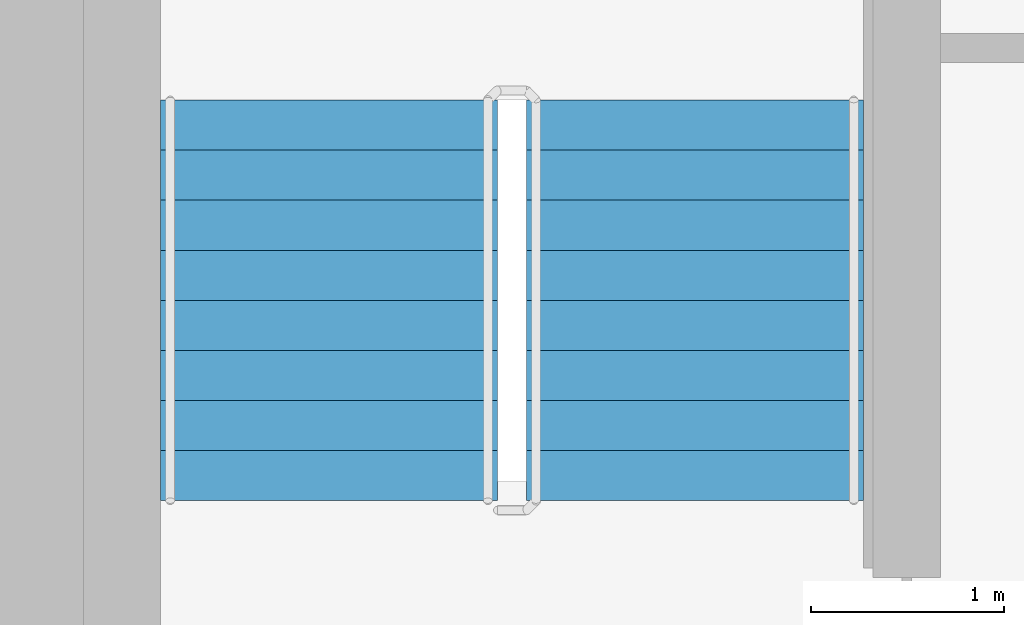
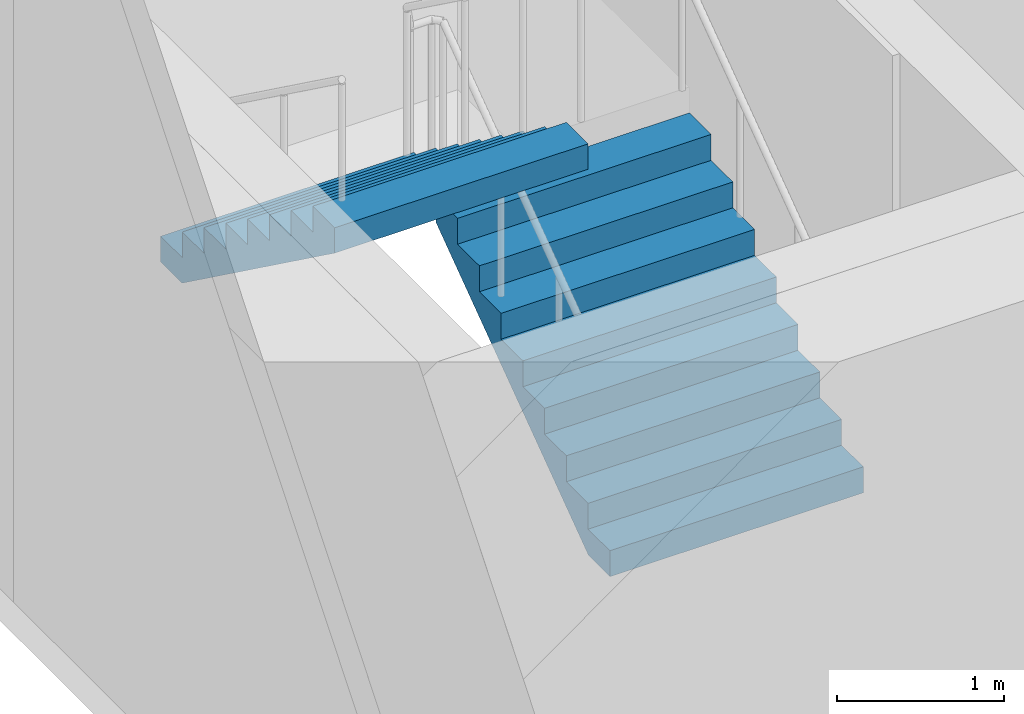
# One storey, part 15 of 18: 2 stair flights, 1 element without a shape of its own.
"""IFC4 building model written with IfcOpenShell, lengths in metres."""

import ifcopenshell
import ifcopenshell.guid

model = None  # the IFC model being written
_history = None  # IfcOwnerHistory: only IFC2X3 demands one
_inside = {}  # id of a spatial element -> (the spatial element, [elements in it])
_under = {}  # id of a project, library or spatial element -> (it, [spatial elements below it])
_declared = {}  # id of a project -> (the project, [libraries it declares])
_typed = {}  # id of a type object -> (the type object, [elements of that type])
_made_of = {}  # id of a material, layer set ... -> (it, [elements and type objects made of it])


def new_model(schema):
    """Start an empty IFC model of exactly this schema.

    Asked for "IFC4X3", IfcOpenShell would pick the latest addendum, in which some entities
    have other attributes; the version numbers below select the first issue.
    IFC2X3 requires an IfcOwnerHistory on every rooted entity: one is made here for all.
    """
    global model, _history
    if schema == "IFC4X3":
        model = ifcopenshell.file(schema_version=(4, 3, 0, 0))
    else:
        model = ifcopenshell.file(schema=schema)
    _inside.clear()
    _under.clear()
    _declared.clear()
    _typed.clear()
    _made_of.clear()
    _history = None
    if model.schema == "IFC2X3":
        org = make("IfcOrganization", Name="unknown")
        user = make(
            "IfcPersonAndOrganization",
            ThePerson=make("IfcPerson", FamilyName="unknown"),
            TheOrganization=org,
        )
        app = make(
            "IfcApplication",
            ApplicationDeveloper=org,
            Version="unknown",
            ApplicationFullName="unknown",
            ApplicationIdentifier="unknown",
        )
        _history = make(
            "IfcOwnerHistory",
            OwningUser=user,
            OwningApplication=app,
            ChangeAction="ADDED",
            CreationDate=0,
        )
    return model


def make(cls, **values):
    """One entity of the class cls with the attributes given. An attribute that is None is left unset."""
    return model.create_entity(
        cls, **{name: value for name, value in values.items() if value is not None}
    )


def rooted(cls, **values):
    """An entity with a GlobalId (a new one), such as an element, a storey or a relation."""
    return make(cls, GlobalId=ifcopenshell.guid.new(), OwnerHistory=_history, **values)


def si_unit(unit_type, name, prefix=None):
    """IfcSIUnit, for example si_unit("LENGTHUNIT", "METRE", prefix="MILLI")."""
    return make("IfcSIUnit", UnitType=unit_type, Prefix=prefix, Name=name)


def assignment(units):
    """IfcUnitAssignment: the units of a project."""
    return None if units is None else make("IfcUnitAssignment", Units=units)


def point(xyz):
    """IfcCartesianPoint."""
    return None if xyz is None else make("IfcCartesianPoint", Coordinates=xyz)


def direction(xyz):
    """IfcDirection."""
    return None if xyz is None else make("IfcDirection", DirectionRatios=xyz)


def frame(location, z_axis=None, x_axis=None):
    """IfcAxis2Placement3D, a coordinate frame: its origin and axes. An axis left out is left unset."""
    return make(
        "IfcAxis2Placement3D",
        Location=point(location),
        Axis=direction(z_axis),
        RefDirection=direction(x_axis),
    )


def origin():
    """The frame at (0, 0, 0) with its axes left unset."""
    return frame((0.0, 0.0, 0.0))


def place(relative_to, where):
    """IfcLocalPlacement: puts the frame where relative to a parent placement (None: the world)."""
    return make(
        "IfcLocalPlacement", PlacementRelTo=relative_to, RelativePlacement=where
    )


def context(
    kind, dimensions, precision=None, world=None, true_north=None, identifier=None
):
    """IfcGeometricRepresentationContext, for example the 3D "Model" context."""
    return make(
        "IfcGeometricRepresentationContext",
        ContextIdentifier=identifier,
        ContextType=kind,
        CoordinateSpaceDimension=dimensions,
        Precision=precision,
        WorldCoordinateSystem=world,
        TrueNorth=true_north,
    )


def subcontext(parent, identifier, kind, view, scale=None):
    """IfcGeometricRepresentationSubContext, for example "Body" below "Model"."""
    return make(
        "IfcGeometricRepresentationSubContext",
        ContextIdentifier=identifier,
        ContextType=kind,
        ParentContext=parent,
        TargetScale=scale,
        TargetView=view,
    )


def project(units=None, contexts=None):
    """IfcProject with its units and contexts."""
    return rooted(
        "IfcProject",
        Name="project",
        RepresentationContexts=contexts,
        UnitsInContext=assignment(units),
    )


def spatial(cls, under=None, at=None, **own):
    """A site, building, storey or space (cls), placed at a placement, below another one or the project."""
    s = rooted(cls, ObjectPlacement=at, **own)
    if under is not None:
        _under.setdefault(under.id(), (under, []))[1].append(s)
    return s


def faces_of(points, faces, orient=None, outer=None):
    """IfcFace entities. A face is a list of loops; a loop is a list of indices into points, from 0.

    orient and outer hold one flag for each loop. By default every Orientation is true, the
    first loop of a face is its IfcFaceOuterBound and the others are IfcFaceBound.
    """
    made = []
    for i, loops in enumerate(faces):
        bounds = []
        for j, loop in enumerate(loops):
            is_outer = j == 0 if outer is None else outer[i][j]
            bounds.append(
                make(
                    "IfcFaceOuterBound" if is_outer else "IfcFaceBound",
                    Bound=make("IfcPolyLoop", Polygon=[points[k] for k in loop]),
                    Orientation=True if orient is None else orient[i][j],
                )
            )
        made.append(make("IfcFace", Bounds=bounds))
    return made


def faceted_brep(points, faces, orient=None, outer=None, voids=None):
    """IfcFacetedBrep: a solid bounded by flat faces; with voids (closed shells), ...WithVoids."""
    shared = [point(p) for p in points]
    hull = make("IfcClosedShell", CfsFaces=faces_of(shared, faces, orient, outer))
    if voids is None:
        return make("IfcFacetedBrep", Outer=hull)
    return make(
        "IfcFacetedBrepWithVoids",
        Outer=hull,
        Voids=[
            make(cls, CfsFaces=faces_of(shared, fs, o, b)) for cls, fs, o, b in voids
        ],
    )


def shape(context_of_items, identifier, shape_type, items):
    """IfcShapeRepresentation: the items that make up one representation, for example the "Body"."""
    return make(
        "IfcShapeRepresentation",
        ContextOfItems=context_of_items,
        RepresentationIdentifier=identifier,
        RepresentationType=shape_type,
        Items=items,
    )


def material(Name=None, Category=None):
    """IfcMaterial."""
    return make("IfcMaterial", Name=Name, Category=Category)


def made_of(thing, what):
    """Note that an element or type object is made of a material, layer set ...; save() writes the relation."""
    if what is not None:
        _made_of.setdefault(what.id(), (what, []))[1].append(thing)
    return thing


def type_object(cls, material=None, **own):
    """A type object (cls), such as IfcWallType, which elements share."""
    return made_of(rooted(cls, **own), material)


def element(
    cls,
    number,
    at=None,
    inside=None,
    cuts=None,
    type_object=None,
    material=None,
    context=None,
    identifier="Body",
    shape_type=None,
    held_by="IfcProductDefinitionShape",
    body=None,
    shapes=None,
    **own,
):
    """One element of the class cls, such as IfcWall. Its Tag is "e" and its number.

    at: its placement. inside: the storey or other place that contains it. cuts: it is an
    opening in that element (IfcRelVoidsElement). A single representation is given by context,
    identifier, shape_type and body (its items); several are given by shapes. held_by: the class
    of the entity that holds the representations. save() writes the other relations.
    """
    e = rooted(cls, Tag="e%d" % number, ObjectPlacement=at, **own)
    if body is not None:
        shapes = [shape(context, identifier, shape_type, body)]
    if shapes is not None:
        e.Representation = make(held_by, Representations=shapes)
    if inside is not None:
        _inside.setdefault(inside.id(), (inside, []))[1].append(e)
    if cuts is not None:
        rooted(
            "IfcRelVoidsElement", RelatingBuildingElement=cuts, RelatedOpeningElement=e
        )
    if type_object is not None:
        _typed.setdefault(type_object.id(), (type_object, []))[1].append(e)
    return made_of(e, material)


def aggregate(whole, parts):
    """IfcRelAggregates: a whole, such as a stair, and the parts it consists of."""
    return rooted("IfcRelAggregates", RelatingObject=whole, RelatedObjects=parts)


def save(model, path):
    """Write the relations noted so far, then the file.

    IfcRelAggregates (storeys below a building ...), IfcRelContainedInSpatialStructure (elements
    in a storey), IfcRelDefinesByType, IfcRelAssociatesMaterial and IfcRelDeclares: one each for
    every whole, place, type object, material and project.
    """
    for whole, parts in _under.values():
        aggregate(whole, parts)
    for where, things in _inside.values():
        rooted(
            "IfcRelContainedInSpatialStructure",
            RelatedElements=things,
            RelatingStructure=where,
        )
    for kind, things in _typed.values():
        rooted("IfcRelDefinesByType", RelatedObjects=things, RelatingType=kind)
    for what, things in _made_of.values():
        rooted("IfcRelAssociatesMaterial", RelatedObjects=things, RelatingMaterial=what)
    for by, libraries in _declared.values():
        rooted("IfcRelDeclares", RelatingContext=by, RelatedDefinitions=libraries)
    model.write(path)


model = new_model("IFC4")

# Units and contexts
model_context = context("Model", 3, precision=1e-05, world=origin(), true_north=direction((0.0, 1.0)))
body_context = subcontext(model_context, "Body", "Model", "MODEL_VIEW")
ifc_project = project(units=[si_unit("LENGTHUNIT", "METRE"), si_unit("AREAUNIT", "SQUARE_METRE"), si_unit("VOLUMEUNIT", "CUBIC_METRE"), si_unit("PLANEANGLEUNIT", "RADIAN"), si_unit("MASSUNIT", "GRAM", prefix="KILO")], contexts=[model_context])

# Site, building, storey
site_placement = place(None, origin())
site = spatial("IfcSite", under=ifc_project, at=site_placement, CompositionType="ELEMENT")
building_placement = place(site_placement, origin())
building = spatial("IfcBuilding", under=site, at=building_placement, Name="Ipe Terrace Towers", CompositionType="ELEMENT")
storey_placement = place(building_placement, frame((0.0, 0.0, 164.300048828125)))
storey = spatial("IfcBuildingStorey", under=building, at=storey_placement, Name="L45", CompositionType="ELEMENT", Elevation=164.300048828125)

# Stair, stair flights
ifc_material_1 = material(Name="Concrete C30/37", Category="concrete")
stair_type = type_object("IfcStairType", Name="Protected exit stair", PredefinedType="HALF_TURN_STAIR", material=ifc_material_1)
stair_placement = place(storey_placement, origin())
stair = element("IfcStair", 1, at=stair_placement, inside=storey, type_object=stair_type, Name="L45 Exit stair T2-C1", PredefinedType="HALF_TURN_STAIR")
ifc_material_2 = material(Name="Concrete C30/37", Category="concrete")
stair_flight_type = type_object("IfcStairFlightType", Name="Exit stair flight 1750", PredefinedType="STRAIGHT", material=ifc_material_2)
stair_flight_1_placement = place(storey_placement, frame((33.22509765625, 9.699951171875, 0.0), z_axis=(0.0, 0.0, 1.0), x_axis=(0.0, 1.0, 0.0)))
stair_flight_1 = element("IfcStairFlight", 2, at=stair_flight_1_placement, type_object=stair_flight_type, Name="T2-ST1 flight 1", NumberOfRisers=9, NumberOfTreads=8, PredefinedType="STRAIGHT", RiserHeight=0.188888889, TreadLength=0.26, context=body_context, shape_type="Brep", body=[
    faceted_brep([(0.255126953125, -0.875, 0.0), (2.080078125, -0.875, 1.325927734375), (2.080078125, -0.875, 1.51123046875), (1.820068359375, -0.875, 1.51123046875), (1.820068359375, -0.875, 1.322265625), (1.56005859375, -0.875, 1.322265625), (1.56005859375, -0.875, 1.13330078125), (1.300048828125, -0.875, 1.13330078125), (1.300048828125, -0.875, 0.9443359375), (1.0400390625, -0.875, 0.9443359375), (1.0400390625, -0.875, 0.755615234375), (0.780029296875, -0.875, 0.755615234375), (0.780029296875, -0.875, 0.566650390625), (0.52001953125, -0.875, 0.566650390625), (0.52001953125, -0.875, 0.377685546875), (0.260009765625, -0.875, 0.377685546875), (0.260009765625, -0.875, 0.18896484375), (0.0, -0.875, 0.18896484375), (0.0, -0.875, 0.0), (0.0, 0.875, 0.0), (0.0, 0.875, 0.18896484375), (0.260009765625, 0.875, 0.18896484375), (0.260009765625, 0.875, 0.377685546875), (0.52001953125, 0.875, 0.377685546875), (0.52001953125, 0.875, 0.566650390625), (0.780029296875, 0.875, 0.566650390625), (0.780029296875, 0.875, 0.755615234375), (1.0400390625, 0.875, 0.755615234375), (1.0400390625, 0.875, 0.9443359375), (1.300048828125, 0.875, 0.9443359375), (1.300048828125, 0.875, 1.13330078125), (1.56005859375, 0.875, 1.13330078125), (1.56005859375, 0.875, 1.322265625), (1.820068359375, 0.875, 1.322265625), (1.820068359375, 0.875, 1.51123046875), (2.080078125, 0.875, 1.51123046875), (2.080078125, 0.875, 1.325927734375), (0.255126953125, 0.875, 0.0), (0.0, -0.300048828125, 0.18896484375), (0.0, -0.1201171875, 0.18896484375), (0.0, -0.06005859375, 0.18896484375), (0.0, -0.030029296875, 0.18896484375), (0.0, -0.010009765625, 0.18896484375), (0.0, 0.0, 0.18896484375), (0.0, 0.010009765625, 0.18896484375), (0.0, 0.030029296875, 0.18896484375), (0.0, 0.06005859375, 0.18896484375), (0.0, 0.1201171875, 0.18896484375), (0.0, 0.300048828125, 0.18896484375), (0.0, 0.300048828125, 0.0), (0.0, 0.1201171875, 0.0), (0.0, 0.06005859375, 0.0), (0.0, 0.030029296875, 0.0), (0.0, 0.010009765625, 0.0), (0.0, 0.0, 0.0), (0.0, -0.010009765625, 0.0), (0.0, -0.030029296875, 0.0), (0.0, -0.06005859375, 0.0), (0.0, -0.1201171875, 0.0), (0.0, -0.300048828125, 0.0), (0.260009765625, -0.300048828125, 0.18896484375), (0.260009765625, -0.1201171875, 0.18896484375), (0.260009765625, -0.06005859375, 0.18896484375), (0.260009765625, -0.030029296875, 0.18896484375), (0.260009765625, -0.010009765625, 0.18896484375), (0.260009765625, 0.0, 0.18896484375), (0.260009765625, 0.010009765625, 0.18896484375), (0.260009765625, 0.030029296875, 0.18896484375), (0.260009765625, 0.06005859375, 0.18896484375), (0.260009765625, 0.1201171875, 0.18896484375), (0.260009765625, 0.300048828125, 0.18896484375), (0.260009765625, -0.300048828125, 0.377685546875), (0.260009765625, -0.1201171875, 0.377685546875), (0.260009765625, -0.06005859375, 0.377685546875), (0.260009765625, -0.030029296875, 0.377685546875), (0.260009765625, -0.010009765625, 0.377685546875), (0.260009765625, 0.0, 0.377685546875), (0.260009765625, 0.010009765625, 0.377685546875), (0.260009765625, 0.030029296875, 0.377685546875), (0.260009765625, 0.06005859375, 0.377685546875), (0.260009765625, 0.1201171875, 0.377685546875), (0.260009765625, 0.300048828125, 0.377685546875), (0.52001953125, -0.300048828125, 0.377685546875), (0.52001953125, -0.1201171875, 0.377685546875), (0.52001953125, -0.06005859375, 0.377685546875), (0.52001953125, -0.030029296875, 0.377685546875), (0.52001953125, -0.010009765625, 0.377685546875), (0.52001953125, 0.0, 0.377685546875), (0.52001953125, 0.010009765625, 0.377685546875), (0.52001953125, 0.030029296875, 0.377685546875), (0.52001953125, 0.06005859375, 0.377685546875), (0.52001953125, 0.1201171875, 0.377685546875), (0.52001953125, 0.300048828125, 0.377685546875), (0.52001953125, -0.300048828125, 0.566650390625), (0.52001953125, -0.1201171875, 0.566650390625), (0.52001953125, -0.06005859375, 0.566650390625), (0.52001953125, -0.030029296875, 0.566650390625), (0.52001953125, -0.010009765625, 0.566650390625), (0.52001953125, 0.0, 0.566650390625), (0.52001953125, 0.010009765625, 0.566650390625), (0.52001953125, 0.030029296875, 0.566650390625), (0.52001953125, 0.06005859375, 0.566650390625), (0.52001953125, 0.1201171875, 0.566650390625), (0.52001953125, 0.300048828125, 0.566650390625), (0.780029296875, -0.300048828125, 0.566650390625), (0.780029296875, -0.1201171875, 0.566650390625), (0.780029296875, -0.06005859375, 0.566650390625), (0.780029296875, -0.030029296875, 0.566650390625), (0.780029296875, -0.010009765625, 0.566650390625), (0.780029296875, 0.0, 0.566650390625), (0.780029296875, 0.010009765625, 0.566650390625), (0.780029296875, 0.030029296875, 0.566650390625), (0.780029296875, 0.06005859375, 0.566650390625), (0.780029296875, 0.1201171875, 0.566650390625), (0.780029296875, 0.300048828125, 0.566650390625), (0.780029296875, -0.300048828125, 0.755615234375), (0.780029296875, -0.1201171875, 0.755615234375), (0.780029296875, -0.06005859375, 0.755615234375), (0.780029296875, -0.030029296875, 0.755615234375), (0.780029296875, -0.010009765625, 0.755615234375), (0.780029296875, 0.0, 0.755615234375), (0.780029296875, 0.010009765625, 0.755615234375), (0.780029296875, 0.030029296875, 0.755615234375), (0.780029296875, 0.06005859375, 0.755615234375), (0.780029296875, 0.1201171875, 0.755615234375), (0.780029296875, 0.300048828125, 0.755615234375), (1.0400390625, -0.300048828125, 0.755615234375), (1.0400390625, -0.1201171875, 0.755615234375), (1.0400390625, -0.06005859375, 0.755615234375), (1.0400390625, -0.030029296875, 0.755615234375), (1.0400390625, -0.010009765625, 0.755615234375), (1.0400390625, 0.0, 0.755615234375), (1.0400390625, 0.010009765625, 0.755615234375), (1.0400390625, 0.030029296875, 0.755615234375), (1.0400390625, 0.06005859375, 0.755615234375), (1.0400390625, 0.1201171875, 0.755615234375), (1.0400390625, 0.300048828125, 0.755615234375), (1.0400390625, -0.300048828125, 0.9443359375), (1.0400390625, -0.1201171875, 0.9443359375), (1.0400390625, -0.06005859375, 0.9443359375), (1.0400390625, -0.030029296875, 0.9443359375), (1.0400390625, -0.010009765625, 0.9443359375), (1.0400390625, 0.0, 0.9443359375), (1.0400390625, 0.010009765625, 0.9443359375), (1.0400390625, 0.030029296875, 0.9443359375), (1.0400390625, 0.06005859375, 0.9443359375), (1.0400390625, 0.1201171875, 0.9443359375), (1.0400390625, 0.300048828125, 0.9443359375), (1.300048828125, -0.300048828125, 0.9443359375), (1.300048828125, -0.1201171875, 0.9443359375), (1.300048828125, -0.06005859375, 0.9443359375), (1.300048828125, -0.030029296875, 0.9443359375), (1.300048828125, -0.010009765625, 0.9443359375), (1.300048828125, 0.0, 0.9443359375), (1.300048828125, 0.010009765625, 0.9443359375), (1.300048828125, 0.030029296875, 0.9443359375), (1.300048828125, 0.06005859375, 0.9443359375), (1.300048828125, 0.1201171875, 0.9443359375), (1.300048828125, 0.300048828125, 0.9443359375), (1.300048828125, -0.300048828125, 1.13330078125), (1.300048828125, -0.1201171875, 1.13330078125), (1.300048828125, -0.06005859375, 1.13330078125), (1.300048828125, -0.030029296875, 1.13330078125), (1.300048828125, -0.010009765625, 1.13330078125), (1.300048828125, 0.0, 1.13330078125), (1.300048828125, 0.010009765625, 1.13330078125), (1.300048828125, 0.030029296875, 1.13330078125), (1.300048828125, 0.06005859375, 1.13330078125), (1.300048828125, 0.1201171875, 1.13330078125), (1.300048828125, 0.300048828125, 1.13330078125), (1.56005859375, -0.300048828125, 1.13330078125), (1.56005859375, -0.1201171875, 1.13330078125), (1.56005859375, -0.06005859375, 1.13330078125), (1.56005859375, -0.030029296875, 1.13330078125), (1.56005859375, -0.010009765625, 1.13330078125), (1.56005859375, 0.0, 1.13330078125), (1.56005859375, 0.010009765625, 1.13330078125), (1.56005859375, 0.030029296875, 1.13330078125), (1.56005859375, 0.06005859375, 1.13330078125), (1.56005859375, 0.1201171875, 1.13330078125), (1.56005859375, 0.300048828125, 1.13330078125), (1.56005859375, -0.300048828125, 1.322265625), (1.56005859375, -0.1201171875, 1.322265625), (1.56005859375, -0.06005859375, 1.322265625), (1.56005859375, -0.030029296875, 1.322265625), (1.56005859375, -0.010009765625, 1.322265625), (1.56005859375, 0.0, 1.322265625), (1.56005859375, 0.010009765625, 1.322265625), (1.56005859375, 0.030029296875, 1.322265625), (1.56005859375, 0.06005859375, 1.322265625), (1.56005859375, 0.1201171875, 1.322265625), (1.56005859375, 0.300048828125, 1.322265625), (1.820068359375, -0.300048828125, 1.322265625), (1.820068359375, -0.1201171875, 1.322265625), (1.820068359375, -0.06005859375, 1.322265625), (1.820068359375, -0.030029296875, 1.322265625), (1.820068359375, -0.010009765625, 1.322265625), (1.820068359375, 0.0, 1.322265625), (1.820068359375, 0.010009765625, 1.322265625), (1.820068359375, 0.030029296875, 1.322265625), (1.820068359375, 0.06005859375, 1.322265625), (1.820068359375, 0.1201171875, 1.322265625), (1.820068359375, 0.300048828125, 1.322265625), (1.820068359375, -0.300048828125, 1.51123046875), (1.820068359375, -0.1201171875, 1.51123046875), (1.820068359375, -0.06005859375, 1.51123046875), (1.820068359375, -0.030029296875, 1.51123046875), (1.820068359375, -0.010009765625, 1.51123046875), (1.820068359375, 0.0, 1.51123046875), (1.820068359375, 0.010009765625, 1.51123046875), (1.820068359375, 0.030029296875, 1.51123046875), (1.820068359375, 0.06005859375, 1.51123046875), (1.820068359375, 0.1201171875, 1.51123046875), (1.820068359375, 0.300048828125, 1.51123046875), (2.080078125, -0.300048828125, 1.51123046875), (2.080078125, -0.1201171875, 1.51123046875), (2.080078125, -0.06005859375, 1.51123046875), (2.080078125, -0.030029296875, 1.51123046875), (2.080078125, -0.010009765625, 1.51123046875), (2.080078125, 0.0, 1.51123046875), (2.080078125, 0.010009765625, 1.51123046875), (2.080078125, 0.030029296875, 1.51123046875), (2.080078125, 0.06005859375, 1.51123046875), (2.080078125, 0.1201171875, 1.51123046875), (2.080078125, 0.300048828125, 1.51123046875), (2.080078125, -0.300048828125, 1.325927734375), (2.080078125, -0.1201171875, 1.325927734375), (2.080078125, -0.06005859375, 1.325927734375), (2.080078125, -0.030029296875, 1.325927734375), (2.080078125, -0.010009765625, 1.325927734375), (2.080078125, 0.0, 1.325927734375), (2.080078125, 0.010009765625, 1.325927734375), (2.080078125, 0.030029296875, 1.325927734375), (2.080078125, 0.06005859375, 1.325927734375), (2.080078125, 0.1201171875, 1.325927734375), (2.080078125, 0.300048828125, 1.325927734375), (0.255126953125, -0.300048828125, 0.0), (0.255126953125, -0.1201171875, 0.0), (0.255126953125, -0.06005859375, 0.0), (0.255126953125, -0.030029296875, 0.0), (0.255126953125, -0.010009765625, 0.0), (0.255126953125, 0.0, 0.0), (0.255126953125, 0.010009765625, 0.0), (0.255126953125, 0.030029296875, 0.0), (0.255126953125, 0.06005859375, 0.0), (0.255126953125, 0.1201171875, 0.0), (0.255126953125, 0.300048828125, 0.0)], [[[0, 1, 2, 3, 4, 5, 6, 7, 8, 9, 10, 11, 12, 13, 14, 15, 16, 17, 18]], [[19, 20, 21, 22, 23, 24, 25, 26, 27, 28, 29, 30, 31, 32, 33, 34, 35, 36, 37]], [[17, 38, 39, 40, 41, 42, 43, 44, 45, 46, 47, 48, 20, 19, 49, 50, 51, 52, 53, 54, 55, 56, 57, 58, 59, 18]], [[16, 60, 61, 62, 63, 64, 65, 66, 67, 68, 69, 70, 21, 20, 48, 47, 46, 45, 44, 43, 42, 41, 40, 39, 38, 17]], [[15, 71, 72, 73, 74, 75, 76, 77, 78, 79, 80, 81, 22, 21, 70, 69, 68, 67, 66, 65, 64, 63, 62, 61, 60, 16]], [[14, 82, 83, 84, 85, 86, 87, 88, 89, 90, 91, 92, 23, 22, 81, 80, 79, 78, 77, 76, 75, 74, 73, 72, 71, 15]], [[13, 93, 94, 95, 96, 97, 98, 99, 100, 101, 102, 103, 24, 23, 92, 91, 90, 89, 88, 87, 86, 85, 84, 83, 82, 14]], [[12, 104, 105, 106, 107, 108, 109, 110, 111, 112, 113, 114, 25, 24, 103, 102, 101, 100, 99, 98, 97, 96, 95, 94, 93, 13]], [[11, 115, 116, 117, 118, 119, 120, 121, 122, 123, 124, 125, 26, 25, 114, 113, 112, 111, 110, 109, 108, 107, 106, 105, 104, 12]], [[10, 126, 127, 128, 129, 130, 131, 132, 133, 134, 135, 136, 27, 26, 125, 124, 123, 122, 121, 120, 119, 118, 117, 116, 115, 11]], [[9, 137, 138, 139, 140, 141, 142, 143, 144, 145, 146, 147, 28, 27, 136, 135, 134, 133, 132, 131, 130, 129, 128, 127, 126, 10]], [[8, 148, 149, 150, 151, 152, 153, 154, 155, 156, 157, 158, 29, 28, 147, 146, 145, 144, 143, 142, 141, 140, 139, 138, 137, 9]], [[7, 159, 160, 161, 162, 163, 164, 165, 166, 167, 168, 169, 30, 29, 158, 157, 156, 155, 154, 153, 152, 151, 150, 149, 148, 8]], [[6, 170, 171, 172, 173, 174, 175, 176, 177, 178, 179, 180, 31, 30, 169, 168, 167, 166, 165, 164, 163, 162, 161, 160, 159, 7]], [[5, 181, 182, 183, 184, 185, 186, 187, 188, 189, 190, 191, 32, 31, 180, 179, 178, 177, 176, 175, 174, 173, 172, 171, 170, 6]], [[4, 192, 193, 194, 195, 196, 197, 198, 199, 200, 201, 202, 33, 32, 191, 190, 189, 188, 187, 186, 185, 184, 183, 182, 181, 5]], [[3, 203, 204, 205, 206, 207, 208, 209, 210, 211, 212, 213, 34, 33, 202, 201, 200, 199, 198, 197, 196, 195, 194, 193, 192, 4]], [[2, 214, 215, 216, 217, 218, 219, 220, 221, 222, 223, 224, 35, 34, 213, 212, 211, 210, 209, 208, 207, 206, 205, 204, 203, 3]], [[1, 225, 226, 227, 228, 229, 230, 231, 232, 233, 234, 235, 36, 35, 224, 223, 222, 221, 220, 219, 218, 217, 216, 215, 214, 2]], [[0, 236, 237, 238, 239, 240, 241, 242, 243, 244, 245, 246, 37, 36, 235, 234, 233, 232, 231, 230, 229, 228, 227, 226, 225, 1]], [[18, 59, 58, 57, 56, 55, 54, 53, 52, 51, 50, 49, 19, 37, 246, 245, 244, 243, 242, 241, 240, 239, 238, 237, 236, 0]]]),
])
stair_flight_2_placement = place(storey_placement, frame((31.324951171875, 11.780029296875, 1.699951171875), z_axis=(0.0, 0.0, 1.0), x_axis=(0.0, -1.0, 0.0)))
stair_flight_2 = element("IfcStairFlight", 3, at=stair_flight_2_placement, type_object=stair_flight_type, Name="T2-ST1 flight 2", NumberOfRisers=9, NumberOfTreads=8, PredefinedType="STRAIGHT", RiserHeight=0.188888889, TreadLength=0.26, context=body_context, shape_type="Brep", body=[
    faceted_brep([(0.255126953125, -0.875, 0.0), (2.080078125, -0.875, 1.325927734375), (2.080078125, -0.875, 1.51123046875), (1.820068359375, -0.875, 1.51123046875), (1.820068359375, -0.875, 1.322265625), (1.56005859375, -0.875, 1.322265625), (1.56005859375, -0.875, 1.13330078125), (1.300048828125, -0.875, 1.13330078125), (1.300048828125, -0.875, 0.9443359375), (1.0400390625, -0.875, 0.9443359375), (1.0400390625, -0.875, 0.755615234375), (0.780029296875, -0.875, 0.755615234375), (0.780029296875, -0.875, 0.566650390625), (0.52001953125, -0.875, 0.566650390625), (0.52001953125, -0.875, 0.377685546875), (0.260009765625, -0.875, 0.377685546875), (0.260009765625, -0.875, 0.18896484375), (0.0, -0.875, 0.18896484375), (0.0, -0.875, 0.0), (0.0, 0.875, 0.0), (0.0, 0.875, 0.18896484375), (0.260009765625, 0.875, 0.18896484375), (0.260009765625, 0.875, 0.377685546875), (0.52001953125, 0.875, 0.377685546875), (0.52001953125, 0.875, 0.566650390625), (0.780029296875, 0.875, 0.566650390625), (0.780029296875, 0.875, 0.755615234375), (1.0400390625, 0.875, 0.755615234375), (1.0400390625, 0.875, 0.9443359375), (1.300048828125, 0.875, 0.9443359375), (1.300048828125, 0.875, 1.13330078125), (1.56005859375, 0.875, 1.13330078125), (1.56005859375, 0.875, 1.322265625), (1.820068359375, 0.875, 1.322265625), (1.820068359375, 0.875, 1.51123046875), (2.080078125, 0.875, 1.51123046875), (2.080078125, 0.875, 1.325927734375), (0.255126953125, 0.875, 0.0), (0.0, -0.300048828125, 0.18896484375), (0.0, -0.1201171875, 0.18896484375), (0.0, -0.06005859375, 0.18896484375), (0.0, -0.030029296875, 0.18896484375), (0.0, -0.010009765625, 0.18896484375), (0.0, 0.0, 0.18896484375), (0.0, 0.010009765625, 0.18896484375), (0.0, 0.030029296875, 0.18896484375), (0.0, 0.06005859375, 0.18896484375), (0.0, 0.1201171875, 0.18896484375), (0.0, 0.300048828125, 0.18896484375), (0.0, 0.300048828125, 0.0), (0.0, 0.1201171875, 0.0), (0.0, 0.06005859375, 0.0), (0.0, 0.030029296875, 0.0), (0.0, 0.010009765625, 0.0), (0.0, 0.0, 0.0), (0.0, -0.010009765625, 0.0), (0.0, -0.030029296875, 0.0), (0.0, -0.06005859375, 0.0), (0.0, -0.1201171875, 0.0), (0.0, -0.300048828125, 0.0), (0.260009765625, -0.300048828125, 0.18896484375), (0.260009765625, -0.1201171875, 0.18896484375), (0.260009765625, -0.06005859375, 0.18896484375), (0.260009765625, -0.030029296875, 0.18896484375), (0.260009765625, -0.010009765625, 0.18896484375), (0.260009765625, 0.0, 0.18896484375), (0.260009765625, 0.010009765625, 0.18896484375), (0.260009765625, 0.030029296875, 0.18896484375), (0.260009765625, 0.06005859375, 0.18896484375), (0.260009765625, 0.1201171875, 0.18896484375), (0.260009765625, 0.300048828125, 0.18896484375), (0.260009765625, -0.300048828125, 0.377685546875), (0.260009765625, -0.1201171875, 0.377685546875), (0.260009765625, -0.06005859375, 0.377685546875), (0.260009765625, -0.030029296875, 0.377685546875), (0.260009765625, -0.010009765625, 0.377685546875), (0.260009765625, 0.0, 0.377685546875), (0.260009765625, 0.010009765625, 0.377685546875), (0.260009765625, 0.030029296875, 0.377685546875), (0.260009765625, 0.06005859375, 0.377685546875), (0.260009765625, 0.1201171875, 0.377685546875), (0.260009765625, 0.300048828125, 0.377685546875), (0.52001953125, -0.300048828125, 0.377685546875), (0.52001953125, -0.1201171875, 0.377685546875), (0.52001953125, -0.06005859375, 0.377685546875), (0.52001953125, -0.030029296875, 0.377685546875), (0.52001953125, -0.010009765625, 0.377685546875), (0.52001953125, 0.0, 0.377685546875), (0.52001953125, 0.010009765625, 0.377685546875), (0.52001953125, 0.030029296875, 0.377685546875), (0.52001953125, 0.06005859375, 0.377685546875), (0.52001953125, 0.1201171875, 0.377685546875), (0.52001953125, 0.300048828125, 0.377685546875), (0.52001953125, -0.300048828125, 0.566650390625), (0.52001953125, -0.1201171875, 0.566650390625), (0.52001953125, -0.06005859375, 0.566650390625), (0.52001953125, -0.030029296875, 0.566650390625), (0.52001953125, -0.010009765625, 0.566650390625), (0.52001953125, 0.0, 0.566650390625), (0.52001953125, 0.010009765625, 0.566650390625), (0.52001953125, 0.030029296875, 0.566650390625), (0.52001953125, 0.06005859375, 0.566650390625), (0.52001953125, 0.1201171875, 0.566650390625), (0.52001953125, 0.300048828125, 0.566650390625), (0.780029296875, -0.300048828125, 0.566650390625), (0.780029296875, -0.1201171875, 0.566650390625), (0.780029296875, -0.06005859375, 0.566650390625), (0.780029296875, -0.030029296875, 0.566650390625), (0.780029296875, -0.010009765625, 0.566650390625), (0.780029296875, 0.0, 0.566650390625), (0.780029296875, 0.010009765625, 0.566650390625), (0.780029296875, 0.030029296875, 0.566650390625), (0.780029296875, 0.06005859375, 0.566650390625), (0.780029296875, 0.1201171875, 0.566650390625), (0.780029296875, 0.300048828125, 0.566650390625), (0.780029296875, -0.300048828125, 0.755615234375), (0.780029296875, -0.1201171875, 0.755615234375), (0.780029296875, -0.06005859375, 0.755615234375), (0.780029296875, -0.030029296875, 0.755615234375), (0.780029296875, -0.010009765625, 0.755615234375), (0.780029296875, 0.0, 0.755615234375), (0.780029296875, 0.010009765625, 0.755615234375), (0.780029296875, 0.030029296875, 0.755615234375), (0.780029296875, 0.06005859375, 0.755615234375), (0.780029296875, 0.1201171875, 0.755615234375), (0.780029296875, 0.300048828125, 0.755615234375), (1.0400390625, -0.300048828125, 0.755615234375), (1.0400390625, -0.1201171875, 0.755615234375), (1.0400390625, -0.06005859375, 0.755615234375), (1.0400390625, -0.030029296875, 0.755615234375), (1.0400390625, -0.010009765625, 0.755615234375), (1.0400390625, 0.0, 0.755615234375), (1.0400390625, 0.010009765625, 0.755615234375), (1.0400390625, 0.030029296875, 0.755615234375), (1.0400390625, 0.06005859375, 0.755615234375), (1.0400390625, 0.1201171875, 0.755615234375), (1.0400390625, 0.300048828125, 0.755615234375), (1.0400390625, -0.300048828125, 0.9443359375), (1.0400390625, -0.1201171875, 0.9443359375), (1.0400390625, -0.06005859375, 0.9443359375), (1.0400390625, -0.030029296875, 0.9443359375), (1.0400390625, -0.010009765625, 0.9443359375), (1.0400390625, 0.0, 0.9443359375), (1.0400390625, 0.010009765625, 0.9443359375), (1.0400390625, 0.030029296875, 0.9443359375), (1.0400390625, 0.06005859375, 0.9443359375), (1.0400390625, 0.1201171875, 0.9443359375), (1.0400390625, 0.300048828125, 0.9443359375), (1.300048828125, -0.300048828125, 0.9443359375), (1.300048828125, -0.1201171875, 0.9443359375), (1.300048828125, -0.06005859375, 0.9443359375), (1.300048828125, -0.030029296875, 0.9443359375), (1.300048828125, -0.010009765625, 0.9443359375), (1.300048828125, 0.0, 0.9443359375), (1.300048828125, 0.010009765625, 0.9443359375), (1.300048828125, 0.030029296875, 0.9443359375), (1.300048828125, 0.06005859375, 0.9443359375), (1.300048828125, 0.1201171875, 0.9443359375), (1.300048828125, 0.300048828125, 0.9443359375), (1.300048828125, -0.300048828125, 1.13330078125), (1.300048828125, -0.1201171875, 1.13330078125), (1.300048828125, -0.06005859375, 1.13330078125), (1.300048828125, -0.030029296875, 1.13330078125), (1.300048828125, -0.010009765625, 1.13330078125), (1.300048828125, 0.0, 1.13330078125), (1.300048828125, 0.010009765625, 1.13330078125), (1.300048828125, 0.030029296875, 1.13330078125), (1.300048828125, 0.06005859375, 1.13330078125), (1.300048828125, 0.1201171875, 1.13330078125), (1.300048828125, 0.300048828125, 1.13330078125), (1.56005859375, -0.300048828125, 1.13330078125), (1.56005859375, -0.1201171875, 1.13330078125), (1.56005859375, -0.06005859375, 1.13330078125), (1.56005859375, -0.030029296875, 1.13330078125), (1.56005859375, -0.010009765625, 1.13330078125), (1.56005859375, 0.0, 1.13330078125), (1.56005859375, 0.010009765625, 1.13330078125), (1.56005859375, 0.030029296875, 1.13330078125), (1.56005859375, 0.06005859375, 1.13330078125), (1.56005859375, 0.1201171875, 1.13330078125), (1.56005859375, 0.300048828125, 1.13330078125), (1.56005859375, -0.300048828125, 1.322265625), (1.56005859375, -0.1201171875, 1.322265625), (1.56005859375, -0.06005859375, 1.322265625), (1.56005859375, -0.030029296875, 1.322265625), (1.56005859375, -0.010009765625, 1.322265625), (1.56005859375, 0.0, 1.322265625), (1.56005859375, 0.010009765625, 1.322265625), (1.56005859375, 0.030029296875, 1.322265625), (1.56005859375, 0.06005859375, 1.322265625), (1.56005859375, 0.1201171875, 1.322265625), (1.56005859375, 0.300048828125, 1.322265625), (1.820068359375, -0.300048828125, 1.322265625), (1.820068359375, -0.1201171875, 1.322265625), (1.820068359375, -0.06005859375, 1.322265625), (1.820068359375, -0.030029296875, 1.322265625), (1.820068359375, -0.010009765625, 1.322265625), (1.820068359375, 0.0, 1.322265625), (1.820068359375, 0.010009765625, 1.322265625), (1.820068359375, 0.030029296875, 1.322265625), (1.820068359375, 0.06005859375, 1.322265625), (1.820068359375, 0.1201171875, 1.322265625), (1.820068359375, 0.300048828125, 1.322265625), (1.820068359375, -0.300048828125, 1.51123046875), (1.820068359375, -0.1201171875, 1.51123046875), (1.820068359375, -0.06005859375, 1.51123046875), (1.820068359375, -0.030029296875, 1.51123046875), (1.820068359375, -0.010009765625, 1.51123046875), (1.820068359375, 0.0, 1.51123046875), (1.820068359375, 0.010009765625, 1.51123046875), (1.820068359375, 0.030029296875, 1.51123046875), (1.820068359375, 0.06005859375, 1.51123046875), (1.820068359375, 0.1201171875, 1.51123046875), (1.820068359375, 0.300048828125, 1.51123046875), (2.080078125, -0.300048828125, 1.51123046875), (2.080078125, -0.1201171875, 1.51123046875), (2.080078125, -0.06005859375, 1.51123046875), (2.080078125, -0.030029296875, 1.51123046875), (2.080078125, -0.010009765625, 1.51123046875), (2.080078125, 0.0, 1.51123046875), (2.080078125, 0.010009765625, 1.51123046875), (2.080078125, 0.030029296875, 1.51123046875), (2.080078125, 0.06005859375, 1.51123046875), (2.080078125, 0.1201171875, 1.51123046875), (2.080078125, 0.300048828125, 1.51123046875), (2.080078125, -0.300048828125, 1.325927734375), (2.080078125, -0.1201171875, 1.325927734375), (2.080078125, -0.06005859375, 1.325927734375), (2.080078125, -0.030029296875, 1.325927734375), (2.080078125, -0.010009765625, 1.325927734375), (2.080078125, 0.0, 1.325927734375), (2.080078125, 0.010009765625, 1.325927734375), (2.080078125, 0.030029296875, 1.325927734375), (2.080078125, 0.06005859375, 1.325927734375), (2.080078125, 0.1201171875, 1.325927734375), (2.080078125, 0.300048828125, 1.325927734375), (0.255126953125, -0.300048828125, 0.0), (0.255126953125, -0.1201171875, 0.0), (0.255126953125, -0.06005859375, 0.0), (0.255126953125, -0.030029296875, 0.0), (0.255126953125, -0.010009765625, 0.0), (0.255126953125, 0.0, 0.0), (0.255126953125, 0.010009765625, 0.0), (0.255126953125, 0.030029296875, 0.0), (0.255126953125, 0.06005859375, 0.0), (0.255126953125, 0.1201171875, 0.0), (0.255126953125, 0.300048828125, 0.0)], [[[0, 1, 2, 3, 4, 5, 6, 7, 8, 9, 10, 11, 12, 13, 14, 15, 16, 17, 18]], [[19, 20, 21, 22, 23, 24, 25, 26, 27, 28, 29, 30, 31, 32, 33, 34, 35, 36, 37]], [[17, 38, 39, 40, 41, 42, 43, 44, 45, 46, 47, 48, 20, 19, 49, 50, 51, 52, 53, 54, 55, 56, 57, 58, 59, 18]], [[16, 60, 61, 62, 63, 64, 65, 66, 67, 68, 69, 70, 21, 20, 48, 47, 46, 45, 44, 43, 42, 41, 40, 39, 38, 17]], [[15, 71, 72, 73, 74, 75, 76, 77, 78, 79, 80, 81, 22, 21, 70, 69, 68, 67, 66, 65, 64, 63, 62, 61, 60, 16]], [[14, 82, 83, 84, 85, 86, 87, 88, 89, 90, 91, 92, 23, 22, 81, 80, 79, 78, 77, 76, 75, 74, 73, 72, 71, 15]], [[13, 93, 94, 95, 96, 97, 98, 99, 100, 101, 102, 103, 24, 23, 92, 91, 90, 89, 88, 87, 86, 85, 84, 83, 82, 14]], [[12, 104, 105, 106, 107, 108, 109, 110, 111, 112, 113, 114, 25, 24, 103, 102, 101, 100, 99, 98, 97, 96, 95, 94, 93, 13]], [[11, 115, 116, 117, 118, 119, 120, 121, 122, 123, 124, 125, 26, 25, 114, 113, 112, 111, 110, 109, 108, 107, 106, 105, 104, 12]], [[10, 126, 127, 128, 129, 130, 131, 132, 133, 134, 135, 136, 27, 26, 125, 124, 123, 122, 121, 120, 119, 118, 117, 116, 115, 11]], [[9, 137, 138, 139, 140, 141, 142, 143, 144, 145, 146, 147, 28, 27, 136, 135, 134, 133, 132, 131, 130, 129, 128, 127, 126, 10]], [[8, 148, 149, 150, 151, 152, 153, 154, 155, 156, 157, 158, 29, 28, 147, 146, 145, 144, 143, 142, 141, 140, 139, 138, 137, 9]], [[7, 159, 160, 161, 162, 163, 164, 165, 166, 167, 168, 169, 30, 29, 158, 157, 156, 155, 154, 153, 152, 151, 150, 149, 148, 8]], [[6, 170, 171, 172, 173, 174, 175, 176, 177, 178, 179, 180, 31, 30, 169, 168, 167, 166, 165, 164, 163, 162, 161, 160, 159, 7]], [[5, 181, 182, 183, 184, 185, 186, 187, 188, 189, 190, 191, 32, 31, 180, 179, 178, 177, 176, 175, 174, 173, 172, 171, 170, 6]], [[4, 192, 193, 194, 195, 196, 197, 198, 199, 200, 201, 202, 33, 32, 191, 190, 189, 188, 187, 186, 185, 184, 183, 182, 181, 5]], [[3, 203, 204, 205, 206, 207, 208, 209, 210, 211, 212, 213, 34, 33, 202, 201, 200, 199, 198, 197, 196, 195, 194, 193, 192, 4]], [[2, 214, 215, 216, 217, 218, 219, 220, 221, 222, 223, 224, 35, 34, 213, 212, 211, 210, 209, 208, 207, 206, 205, 204, 203, 3]], [[1, 225, 226, 227, 228, 229, 230, 231, 232, 233, 234, 235, 36, 35, 224, 223, 222, 221, 220, 219, 218, 217, 216, 215, 214, 2]], [[0, 236, 237, 238, 239, 240, 241, 242, 243, 244, 245, 246, 37, 36, 235, 234, 233, 232, 231, 230, 229, 228, 227, 226, 225, 1]], [[18, 59, 58, 57, 56, 55, 54, 53, 52, 51, 50, 49, 19, 37, 246, 245, 244, 243, 242, 241, 240, 239, 238, 237, 236, 0]]]),
])
aggregate(stair, [stair_flight_1, stair_flight_2])

save(model, "model.ifc")
